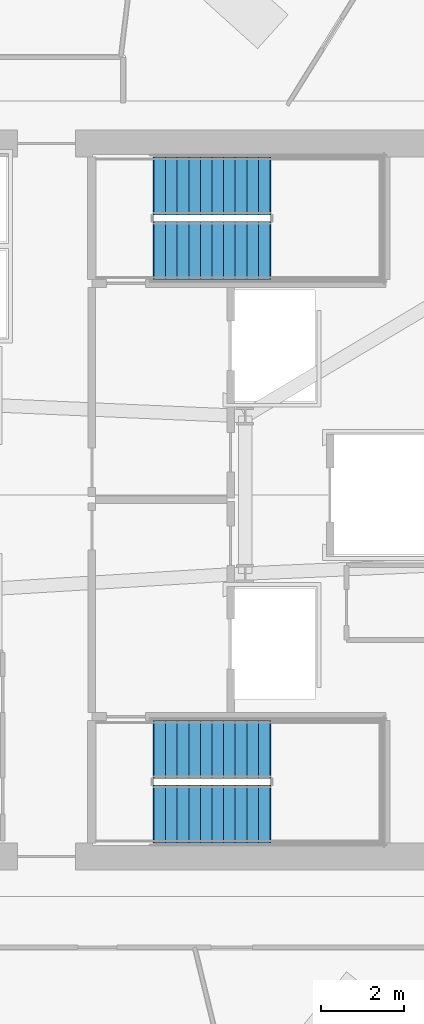
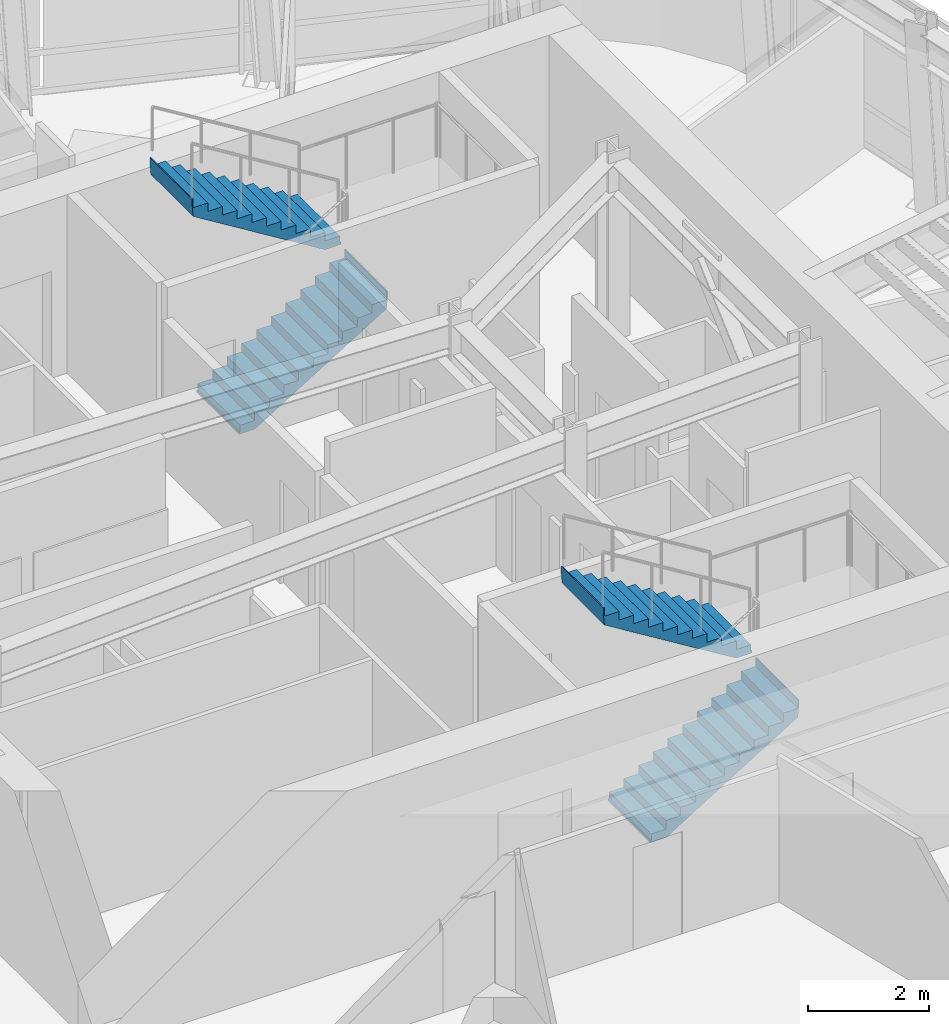
# One storey, part 10 of 15: 4 stair flights, 2 elements without a shape of their own.
"""IFC4 building model written with IfcOpenShell, lengths in metres."""

from ifc_helpers import new_model, si_unit, direction, frame, origin, place, context, subcontext, project, spatial, polyline, outline, extrude, material, type_object, element, aggregate, save


model = new_model("IFC4")

# Units and contexts
model_context = context("Model", 3, precision=1e-05, world=origin(), true_north=direction((0.0, 1.0)))
body_context = subcontext(model_context, "Body", "Model", "MODEL_VIEW")
ifc_project = project(units=[si_unit("LENGTHUNIT", "METRE"), si_unit("AREAUNIT", "SQUARE_METRE"), si_unit("VOLUMEUNIT", "CUBIC_METRE"), si_unit("PLANEANGLEUNIT", "RADIAN"), si_unit("MASSUNIT", "GRAM", prefix="KILO")], contexts=[model_context])

# Site, building, storey
site_placement = place(None, origin())
site = spatial("IfcSite", under=ifc_project, at=site_placement, CompositionType="ELEMENT")
building_placement = place(site_placement, origin())
building = spatial("IfcBuilding", under=site, at=building_placement, Name="Valkerne Bourse Tower", CompositionType="ELEMENT")
storey_placement = place(building_placement, frame((0.0, 0.0, 201.800048828125)))
storey = spatial("IfcBuildingStorey", under=building, at=storey_placement, Name="L51", CompositionType="ELEMENT", Elevation=201.800048828125)

# Stair, stair flights
ifc_material = material(Name="Concrete C40/50", Category="concrete")
stair_type = type_object("IfcStairType", Name="ST-CORE-1400", PredefinedType="HALF_TURN_STAIR", material=ifc_material)
stair_1_placement = place(storey_placement, origin())
stair_1 = element("IfcStair", 1, at=stair_1_placement, inside=storey, type_object=stair_type, Name="L51 ST-1", PredefinedType="HALF_TURN_STAIR")
stair_flight_type = type_object("IfcStairFlightType", Name="STF-CORE-1400", PredefinedType="STRAIGHT", material=ifc_material)
stair_flight_1_placement = place(storey_placement, frame((48.14990234375, 19.300048828125, 0.0), z_axis=(0.0, 0.0, 1.0), x_axis=(1.0, 0.0, 0.0)))
stair_flight_1 = element("IfcStairFlight", 2, at=stair_flight_1_placement, type_object=stair_flight_type, Name="ST-1 flight 1", NumberOfRisers=11, NumberOfTreads=10, PredefinedType="STRAIGHT", RiserHeight=0.172727273, TreadLength=0.28, context=body_context, shape_type="SweptSolid", body=[
    extrude(outline(polyline([(-0.02001953125, 0.0), (-0.02001953125, 0.044921875), (0.0, 0.044921875), (0.0, 0.172607421875), (0.280029296875, 0.172607421875), (0.280029296875, 0.345458984375), (0.56005859375, 0.345458984375), (0.56005859375, 0.51806640625), (0.840087890625, 0.51806640625), (0.840087890625, 0.69091796875), (1.1201171875, 0.69091796875), (1.1201171875, 0.863525390625), (1.39990234375, 0.863525390625), (1.39990234375, 1.036376953125), (1.679931640625, 1.036376953125), (1.679931640625, 1.208984375), (1.9599609375, 1.208984375), (1.9599609375, 1.3818359375), (2.239990234375, 1.3818359375), (2.239990234375, 1.554443359375), (2.52001953125, 1.554443359375), (2.52001953125, 1.727294921875), (2.800048828125, 1.727294921875), (2.800048828125, 1.89990234375), (2.820068359375, 1.89990234375), (2.820068359375, 1.780029296875), (2.800048828125, 1.551025390625), (0.285400390625, 0.0), (-0.02001953125, 0.0)])), frame((0.0, 0.699951171875, 0.0), z_axis=(0.0, -1.0, 0.0), x_axis=(1.0, 0.0, 0.0)), (0.0, 0.0, 1.0), 1.39990234375),
])
stair_flight_2_placement = place(storey_placement, frame((50.949951171875, 20.85009765625, 1.89990234375), z_axis=(0.0, 0.0, 1.0), x_axis=(-1.0, 0.0, 0.0)))
stair_flight_2 = element("IfcStairFlight", 3, at=stair_flight_2_placement, type_object=stair_flight_type, Name="ST-1 flight 2", NumberOfRisers=11, NumberOfTreads=10, PredefinedType="STRAIGHT", RiserHeight=0.172727273, TreadLength=0.28, context=body_context, shape_type="SweptSolid", body=[
    extrude(outline(polyline([(-0.02001953125, 0.0), (-0.02001953125, 0.044921875), (0.0, 0.044921875), (0.0, 0.172607421875), (0.280029296875, 0.172607421875), (0.280029296875, 0.345458984375), (0.56005859375, 0.345458984375), (0.56005859375, 0.51806640625), (0.840087890625, 0.51806640625), (0.840087890625, 0.69091796875), (1.1201171875, 0.69091796875), (1.1201171875, 0.863525390625), (1.39990234375, 0.863525390625), (1.39990234375, 1.036376953125), (1.679931640625, 1.036376953125), (1.679931640625, 1.208984375), (1.9599609375, 1.208984375), (1.9599609375, 1.3818359375), (2.239990234375, 1.3818359375), (2.239990234375, 1.554443359375), (2.52001953125, 1.554443359375), (2.52001953125, 1.727294921875), (2.800048828125, 1.727294921875), (2.800048828125, 1.89990234375), (2.820068359375, 1.89990234375), (2.820068359375, 1.780029296875), (2.800048828125, 1.551025390625), (0.285400390625, 0.0), (-0.02001953125, 0.0)])), frame((0.0, 0.699951171875, 0.0), z_axis=(0.0, -1.0, 0.0), x_axis=(1.0, 0.0, 0.0)), (0.0, 0.0, 1.0), 1.39990234375),
])
aggregate(stair_1, [stair_flight_1, stair_flight_2])

stair_2_placement = place(storey_placement, origin())
stair_2 = element("IfcStair", 4, at=stair_2_placement, inside=storey, type_object=stair_type, Name="L51 ST-2", PredefinedType="HALF_TURN_STAIR")
stair_flight_3_placement = place(storey_placement, frame((48.14990234375, 32.89990234375, 0.0), z_axis=(0.0, 0.0, 1.0), x_axis=(1.0, 0.0, 0.0)))
stair_flight_3 = element("IfcStairFlight", 5, at=stair_flight_3_placement, type_object=stair_flight_type, Name="ST-2 flight 1", NumberOfRisers=11, NumberOfTreads=10, PredefinedType="STRAIGHT", RiserHeight=0.172727273, TreadLength=0.28, context=body_context, shape_type="SweptSolid", body=[
    extrude(outline(polyline([(-0.02001953125, 0.0), (-0.02001953125, 0.044921875), (0.0, 0.044921875), (0.0, 0.172607421875), (0.280029296875, 0.172607421875), (0.280029296875, 0.345458984375), (0.56005859375, 0.345458984375), (0.56005859375, 0.51806640625), (0.840087890625, 0.51806640625), (0.840087890625, 0.69091796875), (1.1201171875, 0.69091796875), (1.1201171875, 0.863525390625), (1.39990234375, 0.863525390625), (1.39990234375, 1.036376953125), (1.679931640625, 1.036376953125), (1.679931640625, 1.208984375), (1.9599609375, 1.208984375), (1.9599609375, 1.3818359375), (2.239990234375, 1.3818359375), (2.239990234375, 1.554443359375), (2.52001953125, 1.554443359375), (2.52001953125, 1.727294921875), (2.800048828125, 1.727294921875), (2.800048828125, 1.89990234375), (2.820068359375, 1.89990234375), (2.820068359375, 1.780029296875), (2.800048828125, 1.551025390625), (0.285400390625, 0.0), (-0.02001953125, 0.0)])), frame((0.0, 0.699951171875, 0.0), z_axis=(0.0, -1.0, 0.0), x_axis=(1.0, 0.0, 0.0)), (0.0, 0.0, 1.0), 1.39990234375),
])
stair_flight_4_placement = place(storey_placement, frame((50.949951171875, 34.449951171875, 1.89990234375), z_axis=(0.0, 0.0, 1.0), x_axis=(-1.0, 0.0, 0.0)))
stair_flight_4 = element("IfcStairFlight", 6, at=stair_flight_4_placement, type_object=stair_flight_type, Name="ST-2 flight 2", NumberOfRisers=11, NumberOfTreads=10, PredefinedType="STRAIGHT", RiserHeight=0.172727273, TreadLength=0.28, context=body_context, shape_type="SweptSolid", body=[
    extrude(outline(polyline([(-0.02001953125, 0.0), (-0.02001953125, 0.044921875), (0.0, 0.044921875), (0.0, 0.172607421875), (0.280029296875, 0.172607421875), (0.280029296875, 0.345458984375), (0.56005859375, 0.345458984375), (0.56005859375, 0.51806640625), (0.840087890625, 0.51806640625), (0.840087890625, 0.69091796875), (1.1201171875, 0.69091796875), (1.1201171875, 0.863525390625), (1.39990234375, 0.863525390625), (1.39990234375, 1.036376953125), (1.679931640625, 1.036376953125), (1.679931640625, 1.208984375), (1.9599609375, 1.208984375), (1.9599609375, 1.3818359375), (2.239990234375, 1.3818359375), (2.239990234375, 1.554443359375), (2.52001953125, 1.554443359375), (2.52001953125, 1.727294921875), (2.800048828125, 1.727294921875), (2.800048828125, 1.89990234375), (2.820068359375, 1.89990234375), (2.820068359375, 1.780029296875), (2.800048828125, 1.551025390625), (0.285400390625, 0.0), (-0.02001953125, 0.0)])), frame((0.0, 0.699951171875, 0.0), z_axis=(0.0, -1.0, 0.0), x_axis=(1.0, 0.0, 0.0)), (0.0, 0.0, 1.0), 1.39990234375),
])
aggregate(stair_2, [stair_flight_3, stair_flight_4])

save(model, "model.ifc")
